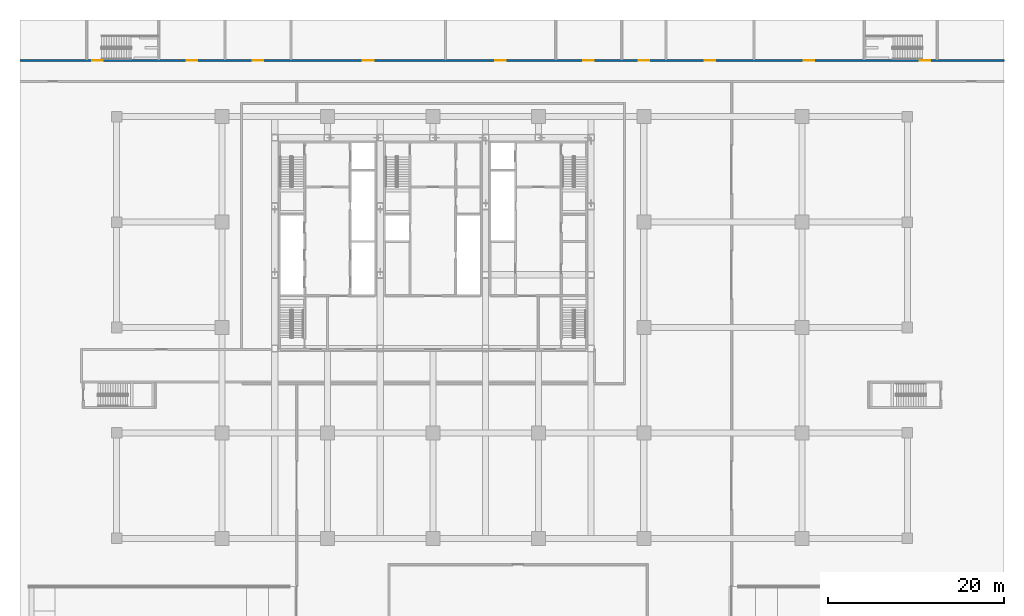
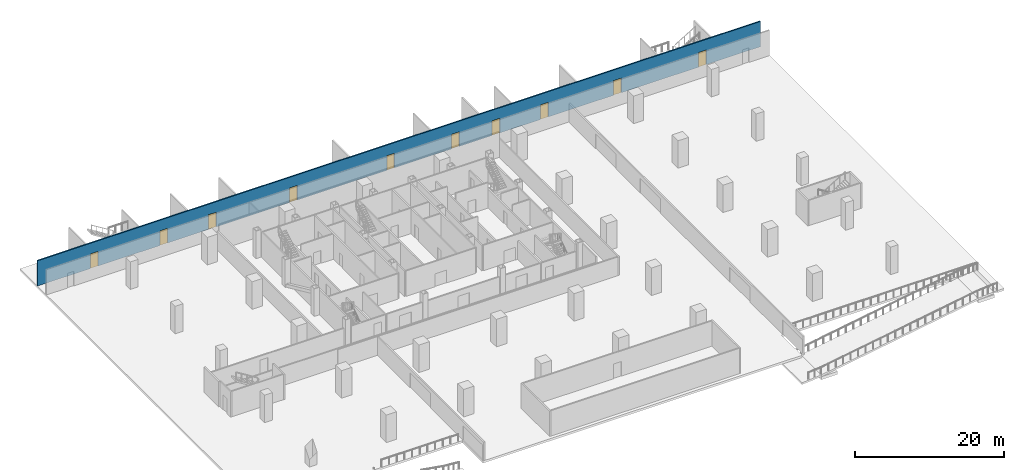
# One storey, part 9 of 15: 10 doors, 1 wall, 10 openings.
"""IFC4 building model written with IfcOpenShell, lengths in metres."""

from ifc_helpers import new_model, si_unit, direction, frame, frame_2d, origin, place, context, subcontext, project, spatial, rectangle, extrude, material, layer, layer_set, type_object, element, fill, save


model = new_model("IFC4")

# Units and contexts
model_context = context("Model", 3, precision=1e-05, world=origin(), true_north=direction((0.0, 1.0)))
body_context = subcontext(model_context, "Body", "Model", "MODEL_VIEW")
ifc_project = project(units=[si_unit("LENGTHUNIT", "METRE"), si_unit("AREAUNIT", "SQUARE_METRE"), si_unit("VOLUMEUNIT", "CUBIC_METRE"), si_unit("PLANEANGLEUNIT", "RADIAN"), si_unit("MASSUNIT", "GRAM", prefix="KILO")], contexts=[model_context])

# Site, building, storey
site_placement = place(None, origin())
site = spatial("IfcSite", under=ifc_project, at=site_placement, CompositionType="ELEMENT")
building_placement = place(site_placement, origin())
building = spatial("IfcBuilding", under=site, at=building_placement, Name="Sorahane Residences", CompositionType="ELEMENT")
storey_placement = place(building_placement, frame((0.0, 0.0, -4.5)))
storey = spatial("IfcBuildingStorey", under=building, at=storey_placement, Name="B1", CompositionType="ELEMENT", Elevation=-4.5)

# Wall, openings, doors
ifc_material_1 = material(Name="Concrete blockwork C20 wall", Category="masonry")
ifc_layer = layer(ifc_material_1, 0.199951171875)
ifc_layer_set = layer_set([ifc_layer], Name="Fire wall 200 EI 120")
wall_type = type_object("IfcWallType", Name="Fire wall 200 EI 120", PredefinedType="SOLIDWALL", material=ifc_layer_set)
wall_placement = place(storey_placement, frame((-23.0, 54.39990234375, 0.0), z_axis=(0.0, 0.0, 1.0), x_axis=(1.0, 0.0, 0.0)))
wall = element("IfcWall", 1, at=wall_placement, inside=storey, type_object=wall_type, Name="B1 fire wall", PredefinedType="SOLIDWALL", context=body_context, shape_type="SweptSolid", body=[
    extrude(rectangle(XDim=112.0, YDim=0.199951171875, at=frame_2d((56.0, 0.0))), origin(), (0.0, 0.0, 1.0), 4.139892578125),
])
opening_1_placement = place(wall_placement, frame((18.964111328125, 0.0, 0.0)))
opening_1 = element("IfcOpeningElement", 2, at=opening_1_placement, cuts=wall, Name="Opening B1-01", PredefinedType="OPENING", context=body_context, shape_type="SweptSolid", body=[
    extrude(rectangle(XDim=1.199951171875, YDim=2.39990234375, at=frame_2d((0.60009765625, 1.199951171875))), frame((0.0, 0.10986328125, 0.0), z_axis=(0.0, -1.0, 0.0), x_axis=(1.0, 0.0, 0.0)), (0.0, 0.0, 1.0), 0.219970703125),
])
opening_2_placement = place(wall_placement, frame((26.4921875, 0.0, 0.0)))
opening_2 = element("IfcOpeningElement", 3, at=opening_2_placement, cuts=wall, Name="Opening B1-02", PredefinedType="OPENING", context=body_context, shape_type="SweptSolid", body=[
    extrude(rectangle(XDim=1.199951171875, YDim=2.39990234375, at=frame_2d((0.60009765625, 1.199951171875))), frame((0.0, 0.10986328125, 0.0), z_axis=(0.0, -1.0, 0.0), x_axis=(1.0, 0.0, 0.0)), (0.0, 0.0, 1.0), 0.219970703125),
])
opening_3_placement = place(wall_placement, frame((39.0390625, 0.0, 0.0)))
opening_3 = element("IfcOpeningElement", 4, at=opening_3_placement, cuts=wall, Name="Opening B1-03", PredefinedType="OPENING", context=body_context, shape_type="SweptSolid", body=[
    extrude(rectangle(XDim=1.199951171875, YDim=2.39990234375, at=frame_2d((0.60009765625, 1.199951171875))), frame((0.0, 0.10986328125, 0.0), z_axis=(0.0, -1.0, 0.0), x_axis=(1.0, 0.0, 0.0)), (0.0, 0.0, 1.0), 0.219970703125),
])
opening_4_placement = place(wall_placement, frame((54.09521484375, 0.0, 0.0)))
opening_4 = element("IfcOpeningElement", 5, at=opening_4_placement, cuts=wall, Name="Opening B1-04", PredefinedType="OPENING", context=body_context, shape_type="SweptSolid", body=[
    extrude(rectangle(XDim=1.199951171875, YDim=2.39990234375, at=frame_2d((0.60009765625, 1.199951171875))), frame((0.0, 0.10986328125, 0.0), z_axis=(0.0, -1.0, 0.0), x_axis=(1.0, 0.0, 0.0)), (0.0, 0.0, 1.0), 0.219970703125),
])
opening_5_placement = place(wall_placement, frame((64.1328125, 0.0, 0.0)))
opening_5 = element("IfcOpeningElement", 6, at=opening_5_placement, cuts=wall, Name="Opening B1-05", PredefinedType="OPENING", context=body_context, shape_type="SweptSolid", body=[
    extrude(rectangle(XDim=1.199951171875, YDim=2.39990234375, at=frame_2d((0.60009765625, 1.199951171875))), frame((0.0, 0.10986328125, 0.0), z_axis=(0.0, -1.0, 0.0), x_axis=(1.0, 0.0, 0.0)), (0.0, 0.0, 1.0), 0.219970703125),
])
opening_6_placement = place(wall_placement, frame((70.40625, 0.0, 0.0)))
opening_6 = element("IfcOpeningElement", 7, at=opening_6_placement, cuts=wall, Name="Opening B1-06", PredefinedType="OPENING", context=body_context, shape_type="SweptSolid", body=[
    extrude(rectangle(XDim=1.199951171875, YDim=2.39990234375, at=frame_2d((0.60009765625, 1.199951171875))), frame((0.0, 0.10986328125, 0.0), z_axis=(0.0, -1.0, 0.0), x_axis=(1.0, 0.0, 0.0)), (0.0, 0.0, 1.0), 0.219970703125),
])
opening_7_placement = place(wall_placement, frame((77.934326171875, 0.0, 0.0)))
opening_7 = element("IfcOpeningElement", 8, at=opening_7_placement, cuts=wall, Name="Opening B1-07", PredefinedType="OPENING", context=body_context, shape_type="SweptSolid", body=[
    extrude(rectangle(XDim=1.199951171875, YDim=2.39990234375, at=frame_2d((0.60009765625, 1.199951171875))), frame((0.0, 0.10986328125, 0.0), z_axis=(0.0, -1.0, 0.0), x_axis=(1.0, 0.0, 0.0)), (0.0, 0.0, 1.0), 0.219970703125),
])
opening_8_placement = place(wall_placement, frame((89.2265625, 0.0, 0.0)))
opening_8 = element("IfcOpeningElement", 9, at=opening_8_placement, cuts=wall, Name="Opening B1-08", PredefinedType="OPENING", context=body_context, shape_type="SweptSolid", body=[
    extrude(rectangle(XDim=1.199951171875, YDim=2.39990234375, at=frame_2d((0.60009765625, 1.199951171875))), frame((0.0, 0.10986328125, 0.0), z_axis=(0.0, -1.0, 0.0), x_axis=(1.0, 0.0, 0.0)), (0.0, 0.0, 1.0), 0.219970703125),
])
opening_9_placement = place(wall_placement, frame((8.199951171875, 0.0, 0.0)))
opening_9 = element("IfcOpeningElement", 10, at=opening_9_placement, cuts=wall, Name="Opening B1-09", PredefinedType="OPENING", context=body_context, shape_type="SweptSolid", body=[
    extrude(rectangle(XDim=1.199951171875, YDim=2.39990234375, at=frame_2d((0.60009765625, 1.199951171875))), frame((0.0, 0.10986328125, 0.0), z_axis=(0.0, -1.0, 0.0), x_axis=(1.0, 0.0, 0.0)), (0.0, 0.0, 1.0), 0.219970703125),
])
opening_10_placement = place(wall_placement, frame((102.39990234375, 0.0, 0.0)))
opening_10 = element("IfcOpeningElement", 11, at=opening_10_placement, cuts=wall, Name="Opening B1-10", PredefinedType="OPENING", context=body_context, shape_type="SweptSolid", body=[
    extrude(rectangle(XDim=1.199951171875, YDim=2.39990234375, at=frame_2d((0.60009765625, 1.199951171875))), frame((0.0, 0.10986328125, 0.0), z_axis=(0.0, -1.0, 0.0), x_axis=(1.0, 0.0, 0.0)), (0.0, 0.0, 1.0), 0.219970703125),
])
ifc_material_2 = material(Name="Steel", Category="steel")
door_type_1 = type_object("IfcDoorType", Name="Plant door 1200x2400 FD60", OperationType="NOTDEFINED", PredefinedType="DOOR", material=ifc_material_2)
door_1_placement = place(opening_1_placement, origin())
door_1 = element("IfcDoor", 12, at=door_1_placement, inside=storey, type_object=door_type_1, Name="Plant door B1-01", OperationType="SINGLE_SWING_LEFT", OverallHeight=2.39990234375, OverallWidth=1.199951171875, PredefinedType="DOOR", context=body_context, shape_type="SweptSolid", body=[
    extrude(rectangle(XDim=1.199951171875, YDim=2.39990234375, at=frame_2d((0.60009765625, 1.199951171875))), frame((0.0, 0.02490234375, 0.0), z_axis=(0.0, -1.0, 0.0), x_axis=(1.0, 0.0, 0.0)), (0.0, 0.0, 1.0), 0.050048828125),
])
fill(opening_1, door_1)
door_2_placement = place(opening_2_placement, origin())
door_2 = element("IfcDoor", 13, at=door_2_placement, inside=storey, type_object=door_type_1, Name="Plant door B1-02", OperationType="SINGLE_SWING_RIGHT", OverallHeight=2.39990234375, OverallWidth=1.199951171875, PredefinedType="DOOR", context=body_context, shape_type="SweptSolid", body=[
    extrude(rectangle(XDim=1.199951171875, YDim=2.39990234375, at=frame_2d((0.60009765625, 1.199951171875))), frame((0.0, 0.02490234375, 0.0), z_axis=(0.0, -1.0, 0.0), x_axis=(1.0, 0.0, 0.0)), (0.0, 0.0, 1.0), 0.050048828125),
])
fill(opening_2, door_2)
door_3_placement = place(opening_3_placement, frame((1.199951171875, 0.0, 0.0), z_axis=(0.0, 0.0, 1.0), x_axis=(-1.0, 0.0, 0.0)))
door_3 = element("IfcDoor", 14, at=door_3_placement, inside=storey, type_object=door_type_1, Name="Plant door B1-03", OperationType="SINGLE_SWING_RIGHT", OverallHeight=2.39990234375, OverallWidth=1.199951171875, PredefinedType="DOOR", context=body_context, shape_type="SweptSolid", body=[
    extrude(rectangle(XDim=1.199951171875, YDim=2.39990234375, at=frame_2d((0.60009765625, 1.199951171875))), frame((0.0, 0.02490234375, 0.0), z_axis=(0.0, -1.0, 0.0), x_axis=(1.0, 0.0, 0.0)), (0.0, 0.0, 1.0), 0.050048828125),
])
fill(opening_3, door_3)
door_4_placement = place(opening_4_placement, frame((1.199951171875, 0.0, 0.0), z_axis=(0.0, 0.0, 1.0), x_axis=(-1.0, 0.0, 0.0)))
door_4 = element("IfcDoor", 15, at=door_4_placement, inside=storey, type_object=door_type_1, Name="Plant door B1-04", OperationType="SINGLE_SWING_LEFT", OverallHeight=2.39990234375, OverallWidth=1.199951171875, PredefinedType="DOOR", context=body_context, shape_type="SweptSolid", body=[
    extrude(rectangle(XDim=1.199951171875, YDim=2.39990234375, at=frame_2d((0.60009765625, 1.199951171875))), frame((0.0, 0.02490234375, 0.0), z_axis=(0.0, -1.0, 0.0), x_axis=(1.0, 0.0, 0.0)), (0.0, 0.0, 1.0), 0.050048828125),
])
fill(opening_4, door_4)
door_5_placement = place(opening_5_placement, origin())
door_5 = element("IfcDoor", 16, at=door_5_placement, inside=storey, type_object=door_type_1, Name="Plant door B1-05", OperationType="SINGLE_SWING_LEFT", OverallHeight=2.39990234375, OverallWidth=1.199951171875, PredefinedType="DOOR", context=body_context, shape_type="SweptSolid", body=[
    extrude(rectangle(XDim=1.199951171875, YDim=2.39990234375, at=frame_2d((0.60009765625, 1.199951171875))), frame((0.0, 0.02490234375, 0.0), z_axis=(0.0, -1.0, 0.0), x_axis=(1.0, 0.0, 0.0)), (0.0, 0.0, 1.0), 0.050048828125),
])
fill(opening_5, door_5)
door_6_placement = place(opening_6_placement, origin())
door_6 = element("IfcDoor", 17, at=door_6_placement, inside=storey, type_object=door_type_1, Name="Plant door B1-06", OperationType="SINGLE_SWING_RIGHT", OverallHeight=2.39990234375, OverallWidth=1.199951171875, PredefinedType="DOOR", context=body_context, shape_type="SweptSolid", body=[
    extrude(rectangle(XDim=1.199951171875, YDim=2.39990234375, at=frame_2d((0.60009765625, 1.199951171875))), frame((0.0, 0.02490234375, 0.0), z_axis=(0.0, -1.0, 0.0), x_axis=(1.0, 0.0, 0.0)), (0.0, 0.0, 1.0), 0.050048828125),
])
fill(opening_6, door_6)
door_7_placement = place(opening_7_placement, frame((1.199951171875, 0.0, 0.0), z_axis=(0.0, 0.0, 1.0), x_axis=(-1.0, 0.0, 0.0)))
door_7 = element("IfcDoor", 18, at=door_7_placement, inside=storey, type_object=door_type_1, Name="Plant door B1-07", OperationType="SINGLE_SWING_RIGHT", OverallHeight=2.39990234375, OverallWidth=1.199951171875, PredefinedType="DOOR", context=body_context, shape_type="SweptSolid", body=[
    extrude(rectangle(XDim=1.199951171875, YDim=2.39990234375, at=frame_2d((0.60009765625, 1.199951171875))), frame((0.0, 0.02490234375, 0.0), z_axis=(0.0, -1.0, 0.0), x_axis=(1.0, 0.0, 0.0)), (0.0, 0.0, 1.0), 0.050048828125),
])
fill(opening_7, door_7)
door_8_placement = place(opening_8_placement, frame((1.199951171875, 0.0, 0.0), z_axis=(0.0, 0.0, 1.0), x_axis=(-1.0, 0.0, 0.0)))
door_8 = element("IfcDoor", 19, at=door_8_placement, inside=storey, type_object=door_type_1, Name="Plant door B1-08", OperationType="SINGLE_SWING_LEFT", OverallHeight=2.39990234375, OverallWidth=1.199951171875, PredefinedType="DOOR", context=body_context, shape_type="SweptSolid", body=[
    extrude(rectangle(XDim=1.199951171875, YDim=2.39990234375, at=frame_2d((0.60009765625, 1.199951171875))), frame((0.0, 0.02490234375, 0.0), z_axis=(0.0, -1.0, 0.0), x_axis=(1.0, 0.0, 0.0)), (0.0, 0.0, 1.0), 0.050048828125),
])
fill(opening_8, door_8)
ifc_material_3 = material(Name="Steel", Category="steel")
door_type_2 = type_object("IfcDoorType", Name="Stair door 1200x2400 FD60", OperationType="NOTDEFINED", PredefinedType="DOOR", material=ifc_material_3)
door_9_placement = place(opening_9_placement, frame((1.199951171875, 0.0, 0.0), z_axis=(0.0, 0.0, 1.0), x_axis=(-1.0, 0.0, 0.0)))
door_9 = element("IfcDoor", 20, at=door_9_placement, inside=storey, type_object=door_type_2, Name="Stair door B1-09", OperationType="SINGLE_SWING_RIGHT", OverallHeight=2.39990234375, OverallWidth=1.199951171875, PredefinedType="DOOR", context=body_context, shape_type="SweptSolid", body=[
    extrude(rectangle(XDim=1.199951171875, YDim=2.39990234375, at=frame_2d((0.60009765625, 1.199951171875))), frame((0.0, 0.02490234375, 0.0), z_axis=(0.0, -1.0, 0.0), x_axis=(1.0, 0.0, 0.0)), (0.0, 0.0, 1.0), 0.050048828125),
])
fill(opening_9, door_9)
door_10_placement = place(opening_10_placement, frame((1.199951171875, 0.0, 0.0), z_axis=(0.0, 0.0, 1.0), x_axis=(-1.0, 0.0, 0.0)))
door_10 = element("IfcDoor", 21, at=door_10_placement, inside=storey, type_object=door_type_2, Name="Stair door B1-10", OperationType="SINGLE_SWING_LEFT", OverallHeight=2.39990234375, OverallWidth=1.199951171875, PredefinedType="DOOR", context=body_context, shape_type="SweptSolid", body=[
    extrude(rectangle(XDim=1.199951171875, YDim=2.39990234375, at=frame_2d((0.60009765625, 1.199951171875))), frame((0.0, 0.02490234375, 0.0), z_axis=(0.0, -1.0, 0.0), x_axis=(1.0, 0.0, 0.0)), (0.0, 0.0, 1.0), 0.050048828125),
])
fill(opening_10, door_10)

save(model, "model.ifc")
